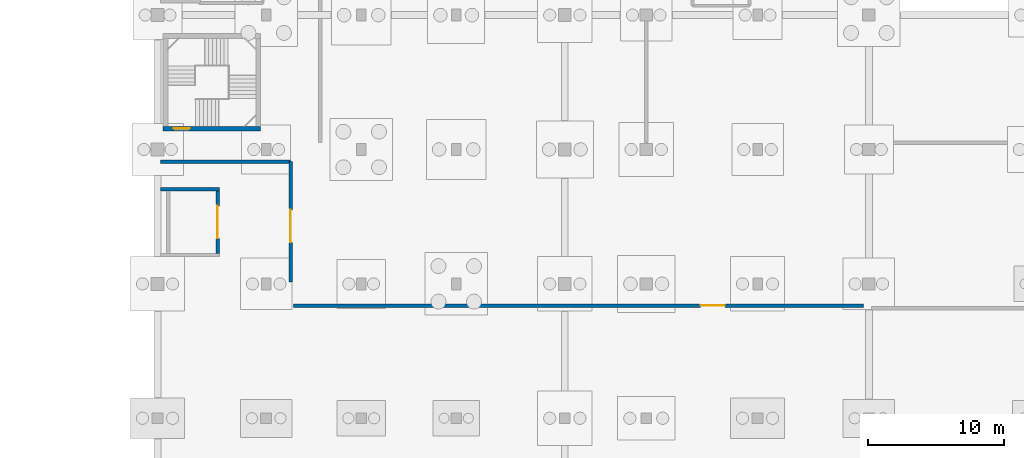
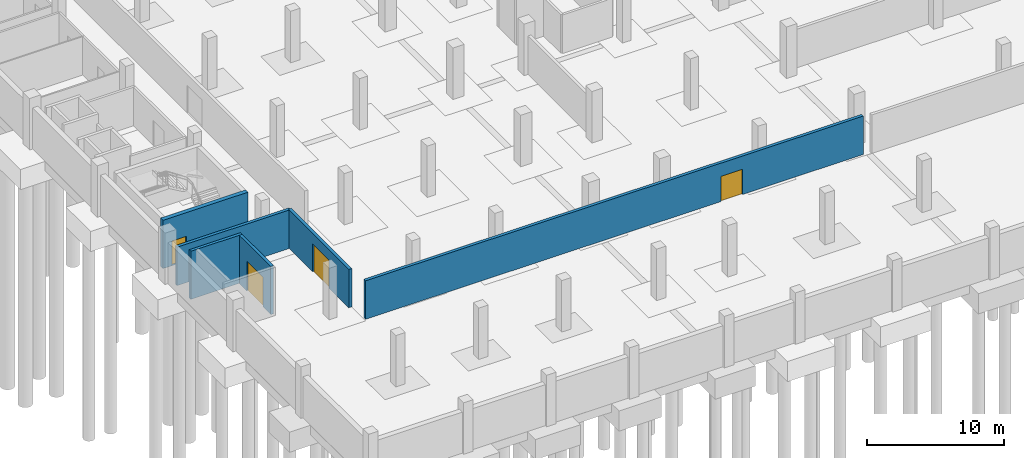
# One storey, part 12 of 30: 6 walls, 4 doors, 4 openings.
"""IFC4 building model written with IfcOpenShell, lengths in metres."""

from ifc_helpers import new_model, si_unit, direction, frame, frame_2d, origin, place, context, subcontext, project, spatial, rectangle, extrude, material, layer, layer_set, type_object, element, fill, save


model = new_model("IFC4")

# Units and contexts
model_context = context("Model", 3, precision=1e-05, world=origin(), true_north=direction((0.0, 1.0)))
body_context = subcontext(model_context, "Body", "Model", "MODEL_VIEW")
ifc_project = project(units=[si_unit("LENGTHUNIT", "METRE"), si_unit("AREAUNIT", "SQUARE_METRE"), si_unit("VOLUMEUNIT", "CUBIC_METRE"), si_unit("PLANEANGLEUNIT", "RADIAN"), si_unit("MASSUNIT", "GRAM", prefix="KILO")], contexts=[model_context])

# Site, building, storey
site_placement = place(None, origin())
site = spatial("IfcSite", under=ifc_project, at=site_placement, CompositionType="ELEMENT")
building_placement = place(site_placement, origin())
building = spatial("IfcBuilding", under=site, at=building_placement, Name="Sillaruma Civic Art Gallery", CompositionType="ELEMENT")
storey_placement = place(building_placement, frame((0.0, 0.0, -9.179931640625)))
storey = spatial("IfcBuildingStorey", under=building, at=storey_placement, Name="B02", CompositionType="ELEMENT", Elevation=-9.179931640625)

# Wall, opening, door
ifc_material_1 = material(Name="Concrete H40 (40 MPa)", Category="concrete")
ifc_layer_1 = layer(ifc_material_1, 0.35009765625, Name="Concrete H40 (40 MPa)")
ifc_layer_set_1 = layer_set([ifc_layer_1], Name="Concrete H40 (40 MPa)")
wall_type_1 = type_object("IfcWallType", Name="WAL-CORE-350", PredefinedType="SHEAR", material=ifc_layer_set_1)
wall_1_placement = place(storey_placement, frame((62.409912109375, 31.235107421875, 0.0), z_axis=(0.0, 0.0, 1.0), x_axis=(1.0, 0.0, 0.0)))
wall_1 = element("IfcWall", 1, at=wall_1_placement, inside=storey, type_object=wall_type_1, Name="Stair Core Shear Wall W-CORE-350 (ST-03:B02:S)", PredefinedType="SHEAR", context=body_context, shape_type="SweptSolid", body=[
    extrude(rectangle(XDim=7.18017578125, YDim=0.35009765625, at=frame_2d((3.590087890625, 0.0))), origin(), (0.0, 0.0, 1.0), 4.309814453125),
])
opening_1_placement = place(wall_1_placement, frame((0.77001953125, 0.0, 0.0)))
opening_1 = element("IfcOpeningElement", 2, at=opening_1_placement, cuts=wall_1, Name="Opening D-STAIR", PredefinedType="OPENING", context=body_context, shape_type="SweptSolid", body=[
    extrude(rectangle(XDim=1.199951171875, YDim=2.199951171875, at=frame_2d((0.60009765625, 1.10009765625))), frame((0.0, 0.18505859375, 0.0), z_axis=(0.0, -1.0, 0.0), x_axis=(1.0, 0.0, 0.0)), (0.0, 0.0, 1.0), 0.3701171875),
])
ifc_material_2 = material(Name="Galvanised Steel ASTM A653 Gr.50", Category="steel")
door_type_1 = type_object("IfcDoorType", Name="DOR-STAIR-120", OperationType="NOTDEFINED", PredefinedType="DOOR", material=ifc_material_2)
door_1_placement = place(opening_1_placement, origin())
door_1 = element("IfcDoor", 3, at=door_1_placement, inside=storey, type_object=door_type_1, Name="Protected Stair Fire Door (ST-03:B02)", OperationType="SINGLE_SWING_RIGHT", OverallHeight=2.199951171875, OverallWidth=1.199951171875, PredefinedType="DOOR", context=body_context, shape_type="SweptSolid", body=[
    extrude(rectangle(XDim=1.199951171875, YDim=2.199951171875, at=frame_2d((0.60009765625, 1.10009765625))), frame((0.0, 0.02490234375, 0.0), z_axis=(0.0, -1.0, 0.0), x_axis=(1.0, 0.0, 0.0)), (0.0, 0.0, 1.0), 0.050048828125),
])
fill(opening_1, door_1)

# Wall
ifc_layer_2 = layer(ifc_material_1, 0.25, Name="Concrete H40 (40 MPa)")
ifc_layer_set_2 = layer_set([ifc_layer_2], Name="Concrete H40 (40 MPa)")
wall_type_2 = type_object("IfcWallType", Name="WAL-SHAFT-250", PredefinedType="SOLIDWALL", material=ifc_layer_set_2)
wall_2_placement = place(storey_placement, frame((62.219970703125, 26.77490234375, 0.0), z_axis=(0.0, 0.0, 1.0), x_axis=(1.0, 0.0, 0.0)))
element("IfcWall", 4, at=wall_2_placement, inside=storey, type_object=wall_type_2, Name="Lift Shaft Wall W-SHAFT-250 (GL-01:B02:N)", PredefinedType="SOLIDWALL", context=body_context, shape_type="SweptSolid", body=[
    extrude(rectangle(XDim=4.330078125, YDim=0.25, at=frame_2d((2.1650390625, 0.0))), origin(), (0.0, 0.0, 1.0), 4.2900390625),
])

# Wall, opening, door
wall_3_placement = place(storey_placement, frame((66.425048828125, 22.050048828125, 0.0), z_axis=(0.0, 0.0, 1.0), x_axis=(0.0, 1.0, 0.0)))
wall_3 = element("IfcWall", 5, at=wall_3_placement, inside=storey, type_object=wall_type_2, Name="Lift Shaft Wall W-SHAFT-250 (GL-01:B02:E)", PredefinedType="SOLIDWALL", context=body_context, shape_type="SweptSolid", body=[
    extrude(rectangle(XDim=4.599853515625, YDim=0.25, at=frame_2d((2.2998046875, 0.0))), origin(), (0.0, 0.0, 1.0), 4.2900390625),
])
opening_2_placement = place(wall_3_placement, frame((1.10009765625, 0.0, 0.0)))
opening_2 = element("IfcOpeningElement", 6, at=opening_2_placement, cuts=wall_3, Name="Opening LD-03", PredefinedType="OPENING", context=body_context, shape_type="SweptSolid", body=[
    extrude(rectangle(XDim=2.39990234375, YDim=2.64990234375, at=frame_2d((1.199951171875, 1.324951171875))), frame((0.0, 0.135009765625, 0.0), z_axis=(0.0, -1.0, 0.0), x_axis=(1.0, 0.0, 0.0)), (0.0, 0.0, 1.0), 0.27001953125),
])
door_type_2 = type_object("IfcDoorType", Name="DOR-LD-03", OperationType="NOTDEFINED", PredefinedType="DOOR", material=ifc_material_2)
door_2_placement = place(opening_2_placement, origin())
door_2 = element("IfcDoor", 7, at=door_2_placement, inside=storey, type_object=door_type_2, Name="Lift Sliding Landing Door LD-03 (GL-01:B02)", OperationType="DOUBLE_DOOR_SLIDING", OverallHeight=2.64990234375, OverallWidth=2.39990234375, PredefinedType="DOOR", context=body_context, shape_type="SweptSolid", body=[
    extrude(rectangle(XDim=2.39990234375, YDim=2.64990234375, at=frame_2d((1.199951171875, 1.324951171875))), frame((0.0, 0.02490234375, 0.0), z_axis=(0.0, -1.0, 0.0), x_axis=(1.0, 0.0, 0.0)), (0.0, 0.0, 1.0), 0.050048828125),
])
fill(opening_2, door_2)

# Wall
ifc_material_3 = material(Name="Concrete Masonry Unit Grade M15", Category="masonry")
ifc_layer_3 = layer(ifc_material_3, 0.2548828125, Name="Concrete Masonry Unit Grade M15")
ifc_layer_set_3 = layer_set([ifc_layer_3], Name="Concrete Masonry Unit Grade M15")
wall_type_3 = type_object("IfcWallType", Name="WAL-STORE-250", PredefinedType="SOLIDWALL", material=ifc_layer_set_3)
wall_4_placement = place(storey_placement, frame((62.219970703125, 28.800048828125, 0.0), z_axis=(0.0, 0.0, 1.0), x_axis=(1.0, 0.0, 0.0)))
element("IfcWall", 8, at=wall_4_placement, inside=storey, type_object=wall_type_3, Name="Interior Wall W-STORE-250 (B02-AIR)", PredefinedType="SOLIDWALL", context=body_context, shape_type="SweptSolid", body=[
    extrude(rectangle(XDim=9.580078125, YDim=0.2548828125, at=frame_2d((4.7900390625, 0.0))), origin(), (0.0, 0.0, 1.0), 3.429931640625),
])

# Wall, opening, door
wall_5_placement = place(storey_placement, frame((71.800048828125, 19.949951171875, 0.0), z_axis=(0.0, 0.0, 1.0), x_axis=(0.0, 1.0, 0.0)))
wall_5 = element("IfcWall", 9, at=wall_5_placement, inside=storey, type_object=wall_type_3, Name="Interior Wall W-STORE-250 (B02-AIR)", PredefinedType="SOLIDWALL", context=body_context, shape_type="SweptSolid", body=[
    extrude(rectangle(XDim=8.85009765625, YDim=0.2548828125, at=frame_2d((4.425048828125, 0.0))), origin(), (0.0, 0.0, 1.0), 3.429931640625),
])
opening_3_placement = place(wall_5_placement, frame((2.89990234375, 0.0, 0.0)))
opening_3 = element("IfcOpeningElement", 10, at=opening_3_placement, cuts=wall_5, Name="Opening D-STR24", PredefinedType="OPENING", context=body_context, shape_type="SweptSolid", body=[
    extrude(rectangle(XDim=2.39990234375, YDim=2.5, at=frame_2d((1.199951171875, 1.25))), frame((0.0, 0.137451171875, 0.0), z_axis=(0.0, -1.0, 0.0), x_axis=(1.0, 0.0, 0.0)), (0.0, 0.0, 1.0), 0.27490234375),
])
door_type_3 = type_object("IfcDoorType", Name="DOR-STORE-240", OperationType="NOTDEFINED", PredefinedType="DOOR", material=ifc_material_2)
door_3_placement = place(opening_3_placement, origin())
door_3 = element("IfcDoor", 11, at=door_3_placement, inside=storey, type_object=door_type_3, Name="Crate Airlock Door (D-STR24)", OperationType="DOUBLE_DOOR_SINGLE_SWING", OverallHeight=2.5, OverallWidth=2.39990234375, PredefinedType="DOOR", context=body_context, shape_type="SweptSolid", body=[
    extrude(rectangle(XDim=2.39990234375, YDim=2.5, at=frame_2d((1.199951171875, 1.25))), frame((0.0, 0.02490234375, 0.0), z_axis=(0.0, -1.0, 0.0), x_axis=(1.0, 0.0, 0.0)), (0.0, 0.0, 1.0), 0.050048828125),
])
fill(opening_3, door_3)

wall_6_placement = place(storey_placement, frame((72.0, 18.199951171875, 0.0), z_axis=(0.0, 0.0, 1.0), x_axis=(1.0, 0.0, 0.0)))
wall_6 = element("IfcWall", 12, at=wall_6_placement, inside=storey, type_object=wall_type_3, Name="Interior Wall W-STORE-250 (B02-PLTS)", PredefinedType="SOLIDWALL", context=body_context, shape_type="SweptSolid", body=[
    extrude(rectangle(XDim=42.0, YDim=0.2548828125, at=frame_2d((21.0, 0.0))), origin(), (0.0, 0.0, 1.0), 3.429931640625),
])
opening_4_placement = place(wall_6_placement, frame((30.0, 0.0, 0.0)))
opening_4 = element("IfcOpeningElement", 13, at=opening_4_placement, cuts=wall_6, Name="Opening D-PLANT", PredefinedType="OPENING", context=body_context, shape_type="SweptSolid", body=[
    extrude(rectangle(XDim=1.800048828125, YDim=2.25, at=frame_2d((0.89990234375, 1.125))), frame((0.0, 0.137451171875, 0.0), z_axis=(0.0, -1.0, 0.0), x_axis=(1.0, 0.0, 0.0)), (0.0, 0.0, 1.0), 0.27490234375),
])
door_type_4 = type_object("IfcDoorType", Name="DOR-PLANT-180", OperationType="NOTDEFINED", PredefinedType="DOOR", material=ifc_material_2)
door_4_placement = place(opening_4_placement, origin())
door_4 = element("IfcDoor", 14, at=door_4_placement, inside=storey, type_object=door_type_4, Name="Fire Water Reserve and Cistern Plant Room Door (D-PLANT)", OperationType="DOUBLE_DOOR_SINGLE_SWING", OverallHeight=2.25, OverallWidth=1.800048828125, PredefinedType="DOOR", context=body_context, shape_type="SweptSolid", body=[
    extrude(rectangle(XDim=1.800048828125, YDim=2.25, at=frame_2d((0.89990234375, 1.125))), frame((0.0, 0.02490234375, 0.0), z_axis=(0.0, -1.0, 0.0), x_axis=(1.0, 0.0, 0.0)), (0.0, 0.0, 1.0), 0.050048828125),
])
fill(opening_4, door_4)

save(model, "model.ifc")
